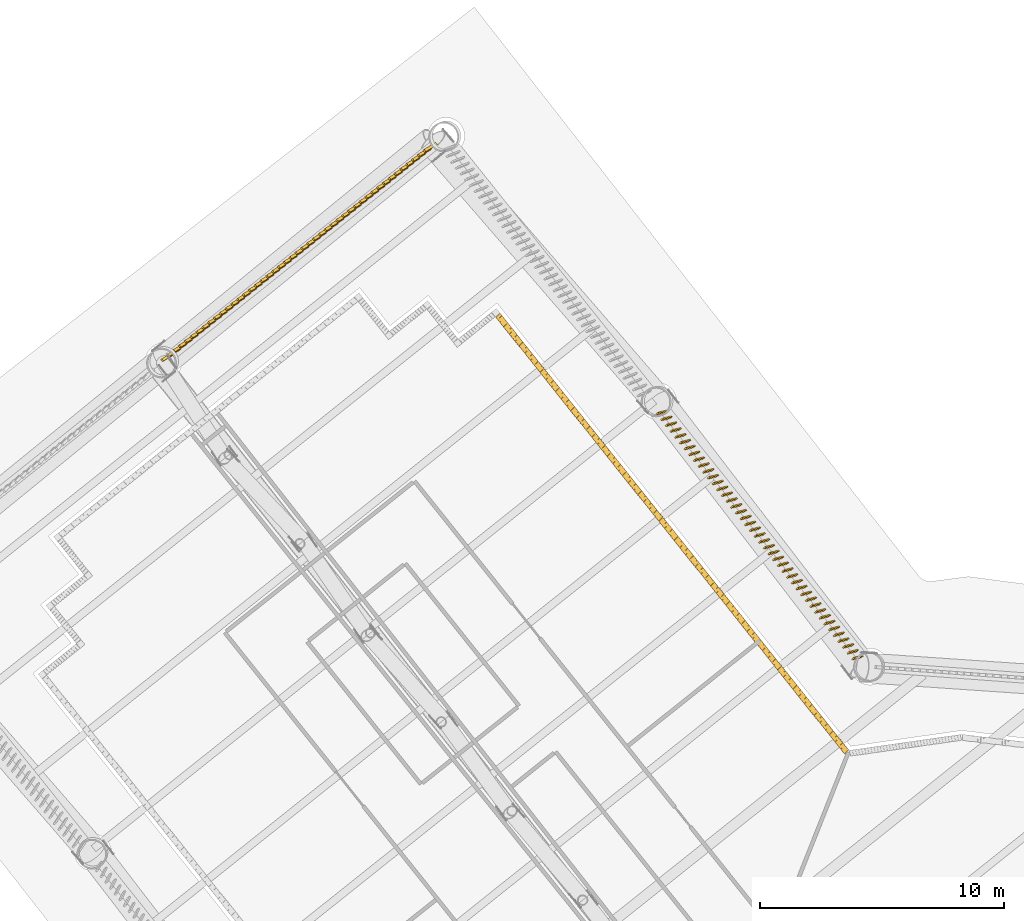
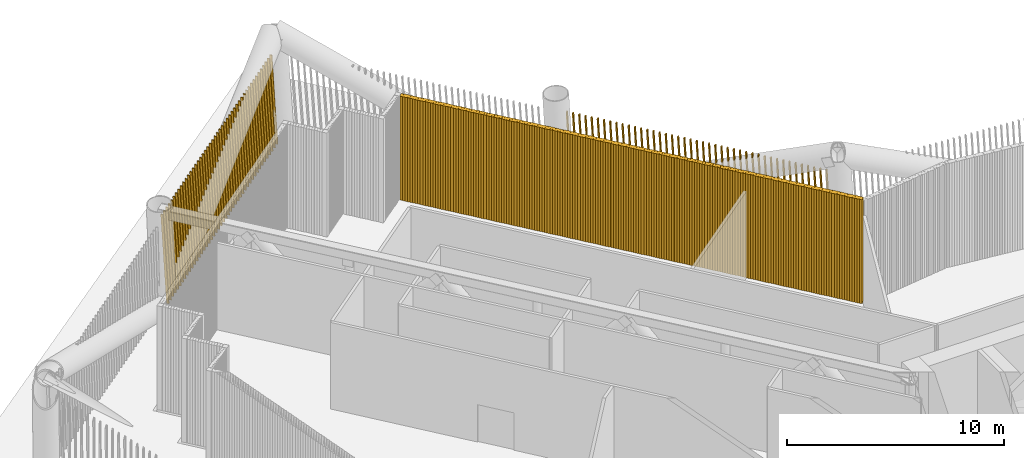
# One storey, part 47 of 48: 3 shading devices.
"""IFC4 building model written with IfcOpenShell, lengths in metres."""

from ifc_helpers import new_model, si_unit, direction, frame, frame_2d, origin, place, context, subcontext, project, spatial, rectangle, composite_profile, extrude, material, type_object, element, save


model = new_model("IFC4")

# Units and contexts
model_context = context("Model", 3, precision=1e-05, world=origin(), true_north=direction((0.0, 1.0)))
body_context = subcontext(model_context, "Body", "Model", "MODEL_VIEW")
ifc_project = project(units=[si_unit("LENGTHUNIT", "METRE"), si_unit("AREAUNIT", "SQUARE_METRE"), si_unit("VOLUMEUNIT", "CUBIC_METRE"), si_unit("PLANEANGLEUNIT", "RADIAN"), si_unit("MASSUNIT", "GRAM", prefix="KILO")], contexts=[model_context])

# Site, building, storey
site_placement = place(None, origin())
site = spatial("IfcSite", under=ifc_project, at=site_placement, CompositionType="ELEMENT")
building_placement = place(site_placement, origin())
building = spatial("IfcBuilding", under=site, at=building_placement, Name="Tarsis Ring Headquarters", CompositionType="ELEMENT")
storey_placement = place(building_placement, frame((0.0, 0.0, 34.0)))
storey = spatial("IfcBuildingStorey", under=building, at=storey_placement, Name="L06", CompositionType="ELEMENT", Elevation=34.0)

# Shading devices
ifc_material_1 = material(Name="Aluminium louvre", Category="aluminium")
shading_device_type_1 = type_object("IfcShadingDeviceType", Name="Plant louvre fin", PredefinedType="USERDEFINED", material=ifc_material_1)
shading_device_1_placement = place(storey_placement, frame((-4.974365234375, 25.265380859375, 0.0), z_axis=(0.0, 0.0, 1.0), x_axis=(-0.623881965396, 0.781520846881, 0.0)))
element("IfcShadingDevice", 1, at=shading_device_1_placement, inside=storey, type_object=shading_device_type_1, Name="Louvre L06-31", ObjectType="Louvre", PredefinedType="USERDEFINED", context=body_context, shape_type="SweptSolid", body=[
    extrude(composite_profile([rectangle(XDim=0.1201171875, YDim=0.239990234375, at=frame_2d((0.076171875, 0.0), x_axis=(0.990268068742, 0.13917310096))), rectangle(XDim=0.1201171875, YDim=0.239990234375, at=frame_2d((0.201904296875, 0.0), x_axis=(0.990268068742, 0.13917310096))), rectangle(XDim=0.1201171875, YDim=0.239990234375, at=frame_2d((0.32763671875, 0.0), x_axis=(0.990268068742, 0.13917310096))), rectangle(XDim=0.1201171875, YDim=0.239990234375, at=frame_2d((0.453125, 0.0), x_axis=(0.990268068742, 0.13917310096))), rectangle(XDim=0.1201171875, YDim=0.239990234375, at=frame_2d((0.578857421875, 0.0), x_axis=(0.990268068742, 0.13917310096))), rectangle(XDim=0.1201171875, YDim=0.239990234375, at=frame_2d((0.70458984375, 0.0), x_axis=(0.990268068742, 0.13917310096))), rectangle(XDim=0.1201171875, YDim=0.239990234375, at=frame_2d((0.830322265625, 0.0), x_axis=(0.990268068742, 0.13917310096))), rectangle(XDim=0.1201171875, YDim=0.239990234375, at=frame_2d((0.9560546875, 0.0), x_axis=(0.990268068742, 0.13917310096))), rectangle(XDim=0.1201171875, YDim=0.239990234375, at=frame_2d((1.08154296875, 0.0), x_axis=(0.990268068742, 0.13917310096))), rectangle(XDim=0.1201171875, YDim=0.239990234375, at=frame_2d((1.207275390625, 0.0), x_axis=(0.990268068742, 0.13917310096))), rectangle(XDim=0.1201171875, YDim=0.239990234375, at=frame_2d((1.3330078125, 0.0), x_axis=(0.990268068742, 0.13917310096))), rectangle(XDim=0.1201171875, YDim=0.239990234375, at=frame_2d((1.458740234375, 0.0), x_axis=(0.990268068742, 0.13917310096))), rectangle(XDim=0.1201171875, YDim=0.239990234375, at=frame_2d((1.58447265625, 0.0), x_axis=(0.990268068742, 0.13917310096))), rectangle(XDim=0.1201171875, YDim=0.239990234375, at=frame_2d((1.7099609375, 0.0), x_axis=(0.990268068742, 0.13917310096))), rectangle(XDim=0.1201171875, YDim=0.239990234375, at=frame_2d((1.835693359375, 0.0), x_axis=(0.990268068742, 0.13917310096))), rectangle(XDim=0.1201171875, YDim=0.239990234375, at=frame_2d((1.96142578125, 0.0), x_axis=(0.990268068742, 0.13917310096))), rectangle(XDim=0.1201171875, YDim=0.239990234375, at=frame_2d((2.087158203125, 0.0), x_axis=(0.990268068742, 0.13917310096))), rectangle(XDim=0.1201171875, YDim=0.239990234375, at=frame_2d((2.212890625, 0.0), x_axis=(0.990268068742, 0.13917310096))), rectangle(XDim=0.1201171875, YDim=0.239990234375, at=frame_2d((2.338623046875, 0.0), x_axis=(0.990268068742, 0.13917310096))), rectangle(XDim=0.1201171875, YDim=0.239990234375, at=frame_2d((2.464111328125, 0.0), x_axis=(0.990268068742, 0.13917310096))), rectangle(XDim=0.1201171875, YDim=0.239990234375, at=frame_2d((2.58984375, 0.0), x_axis=(0.990268068742, 0.13917310096))), rectangle(XDim=0.1201171875, YDim=0.239990234375, at=frame_2d((2.715576171875, 0.0), x_axis=(0.990268068742, 0.13917310096))), rectangle(XDim=0.1201171875, YDim=0.239990234375, at=frame_2d((2.84130859375, 0.0), x_axis=(0.990268068742, 0.13917310096))), rectangle(XDim=0.1201171875, YDim=0.239990234375, at=frame_2d((2.967041015625, 0.0), x_axis=(0.990268068742, 0.13917310096))), rectangle(XDim=0.1201171875, YDim=0.239990234375, at=frame_2d((3.092529296875, 0.0), x_axis=(0.990268068742, 0.13917310096))), rectangle(XDim=0.1201171875, YDim=0.239990234375, at=frame_2d((3.21826171875, 0.0), x_axis=(0.990268068742, 0.13917310096))), rectangle(XDim=0.1201171875, YDim=0.239990234375, at=frame_2d((3.343994140625, 0.0), x_axis=(0.990268068742, 0.13917310096))), rectangle(XDim=0.1201171875, YDim=0.239990234375, at=frame_2d((3.4697265625, 0.0), x_axis=(0.990268068742, 0.13917310096))), rectangle(XDim=0.1201171875, YDim=0.239990234375, at=frame_2d((3.595458984375, 0.0), x_axis=(0.990268068742, 0.13917310096))), rectangle(XDim=0.1201171875, YDim=0.239990234375, at=frame_2d((3.720947265625, 0.0), x_axis=(0.990268068742, 0.13917310096))), rectangle(XDim=0.1201171875, YDim=0.239990234375, at=frame_2d((3.8466796875, 0.0), x_axis=(0.990268068742, 0.13917310096))), rectangle(XDim=0.1201171875, YDim=0.239990234375, at=frame_2d((3.972412109375, 0.0), x_axis=(0.990268068742, 0.13917310096))), rectangle(XDim=0.1201171875, YDim=0.239990234375, at=frame_2d((4.09814453125, 0.0), x_axis=(0.990268068742, 0.13917310096))), rectangle(XDim=0.1201171875, YDim=0.239990234375, at=frame_2d((4.223876953125, 0.0), x_axis=(0.990268068742, 0.13917310096))), rectangle(XDim=0.1201171875, YDim=0.239990234375, at=frame_2d((4.349365234375, 0.0), x_axis=(0.990268068742, 0.13917310096))), rectangle(XDim=0.1201171875, YDim=0.239990234375, at=frame_2d((4.47509765625, 0.0), x_axis=(0.990268068742, 0.13917310096))), rectangle(XDim=0.1201171875, YDim=0.239990234375, at=frame_2d((4.600830078125, 0.0), x_axis=(0.990268068742, 0.13917310096))), rectangle(XDim=0.1201171875, YDim=0.239990234375, at=frame_2d((4.7265625, 0.0), x_axis=(0.990268068742, 0.13917310096))), rectangle(XDim=0.1201171875, YDim=0.239990234375, at=frame_2d((4.852294921875, 0.0), x_axis=(0.990268068742, 0.13917310096))), rectangle(XDim=0.1201171875, YDim=0.239990234375, at=frame_2d((4.977783203125, 0.0), x_axis=(0.990268068742, 0.13917310096))), rectangle(XDim=0.1201171875, YDim=0.239990234375, at=frame_2d((5.103515625, 0.0), x_axis=(0.990268068742, 0.13917310096))), rectangle(XDim=0.1201171875, YDim=0.239990234375, at=frame_2d((5.229248046875, 0.0), x_axis=(0.990268068742, 0.13917310096))), rectangle(XDim=0.1201171875, YDim=0.239990234375, at=frame_2d((5.35498046875, 0.0), x_axis=(0.990268068742, 0.13917310096))), rectangle(XDim=0.1201171875, YDim=0.239990234375, at=frame_2d((5.480712890625, 0.0), x_axis=(0.990268068742, 0.13917310096))), rectangle(XDim=0.1201171875, YDim=0.239990234375, at=frame_2d((5.606201171875, 0.0), x_axis=(0.990268068742, 0.13917310096))), rectangle(XDim=0.1201171875, YDim=0.239990234375, at=frame_2d((5.73193359375, 0.0), x_axis=(0.990268068742, 0.13917310096))), rectangle(XDim=0.1201171875, YDim=0.239990234375, at=frame_2d((5.857666015625, 0.0), x_axis=(0.990268068742, 0.13917310096))), rectangle(XDim=0.1201171875, YDim=0.239990234375, at=frame_2d((5.9833984375, 0.0), x_axis=(0.990268068742, 0.13917310096))), rectangle(XDim=0.1201171875, YDim=0.239990234375, at=frame_2d((6.109130859375, 0.0), x_axis=(0.990268068742, 0.13917310096))), rectangle(XDim=0.1201171875, YDim=0.239990234375, at=frame_2d((6.23486328125, 0.0), x_axis=(0.990268068742, 0.13917310096))), rectangle(XDim=0.1201171875, YDim=0.239990234375, at=frame_2d((6.3603515625, 0.0), x_axis=(0.990268068742, 0.13917310096))), rectangle(XDim=0.1201171875, YDim=0.239990234375, at=frame_2d((6.486083984375, 0.0), x_axis=(0.990268068742, 0.13917310096))), rectangle(XDim=0.1201171875, YDim=0.239990234375, at=frame_2d((6.61181640625, 0.0), x_axis=(0.990268068742, 0.13917310096))), rectangle(XDim=0.1201171875, YDim=0.239990234375, at=frame_2d((6.737548828125, 0.0), x_axis=(0.990268068742, 0.13917310096))), rectangle(XDim=0.1201171875, YDim=0.239990234375, at=frame_2d((6.86328125, 0.0), x_axis=(0.990268068742, 0.13917310096))), rectangle(XDim=0.1201171875, YDim=0.239990234375, at=frame_2d((6.98876953125, 0.0), x_axis=(0.990268068742, 0.13917310096))), rectangle(XDim=0.1201171875, YDim=0.239990234375, at=frame_2d((7.114501953125, 0.0), x_axis=(0.990268068742, 0.13917310096))), rectangle(XDim=0.1201171875, YDim=0.239990234375, at=frame_2d((7.240234375, 0.0), x_axis=(0.990268068742, 0.13917310096))), rectangle(XDim=0.1201171875, YDim=0.239990234375, at=frame_2d((7.365966796875, 0.0), x_axis=(0.990268068742, 0.13917310096))), rectangle(XDim=0.1201171875, YDim=0.239990234375, at=frame_2d((7.49169921875, 0.0), x_axis=(0.990268068742, 0.13917310096))), rectangle(XDim=0.1201171875, YDim=0.239990234375, at=frame_2d((7.6171875, 0.0), x_axis=(0.990268068742, 0.13917310096))), rectangle(XDim=0.1201171875, YDim=0.239990234375, at=frame_2d((7.742919921875, 0.0), x_axis=(0.990268068742, 0.13917310096))), rectangle(XDim=0.1201171875, YDim=0.239990234375, at=frame_2d((7.86865234375, 0.0), x_axis=(0.990268068742, 0.13917310096))), rectangle(XDim=0.1201171875, YDim=0.239990234375, at=frame_2d((7.994384765625, 0.0), x_axis=(0.990268068742, 0.13917310096))), rectangle(XDim=0.1201171875, YDim=0.239990234375, at=frame_2d((8.1201171875, 0.0), x_axis=(0.990268068742, 0.13917310096))), rectangle(XDim=0.1201171875, YDim=0.239990234375, at=frame_2d((8.24560546875, 0.0), x_axis=(0.990268068742, 0.13917310096))), rectangle(XDim=0.1201171875, YDim=0.239990234375, at=frame_2d((8.371337890625, 0.0), x_axis=(0.990268068742, 0.13917310096))), rectangle(XDim=0.1201171875, YDim=0.239990234375, at=frame_2d((8.4970703125, 0.0), x_axis=(0.990268068742, 0.13917310096))), rectangle(XDim=0.1201171875, YDim=0.239990234375, at=frame_2d((8.622802734375, 0.0), x_axis=(0.990268068742, 0.13917310096))), rectangle(XDim=0.1201171875, YDim=0.239990234375, at=frame_2d((8.74853515625, 0.0), x_axis=(0.990268068742, 0.13917310096))), rectangle(XDim=0.1201171875, YDim=0.239990234375, at=frame_2d((8.8740234375, 0.0), x_axis=(0.990268068742, 0.13917310096))), rectangle(XDim=0.1201171875, YDim=0.239990234375, at=frame_2d((8.999755859375, 0.0), x_axis=(0.990268068742, 0.13917310096))), rectangle(XDim=0.1201171875, YDim=0.239990234375, at=frame_2d((9.12548828125, 0.0), x_axis=(0.990268068742, 0.13917310096))), rectangle(XDim=0.1201171875, YDim=0.239990234375, at=frame_2d((9.251220703125, 0.0), x_axis=(0.990268068742, 0.13917310096))), rectangle(XDim=0.1201171875, YDim=0.239990234375, at=frame_2d((9.376953125, 0.0), x_axis=(0.990268068742, 0.13917310096))), rectangle(XDim=0.1201171875, YDim=0.239990234375, at=frame_2d((9.50244140625, 0.0), x_axis=(0.990268068742, 0.13917310096))), rectangle(XDim=0.1201171875, YDim=0.239990234375, at=frame_2d((9.628173828125, 0.0), x_axis=(0.990268068742, 0.13917310096))), rectangle(XDim=0.1201171875, YDim=0.239990234375, at=frame_2d((9.75390625, 0.0), x_axis=(0.990268068742, 0.13917310096))), rectangle(XDim=0.1201171875, YDim=0.239990234375, at=frame_2d((9.879638671875, 0.0), x_axis=(0.990268068742, 0.13917310096))), rectangle(XDim=0.1201171875, YDim=0.239990234375, at=frame_2d((10.00537109375, 0.0), x_axis=(0.990268068742, 0.13917310096))), rectangle(XDim=0.1201171875, YDim=0.239990234375, at=frame_2d((10.131103515625, 0.0), x_axis=(0.990268068742, 0.13917310096))), rectangle(XDim=0.1201171875, YDim=0.239990234375, at=frame_2d((10.256591796875, 0.0), x_axis=(0.990268068742, 0.13917310096))), rectangle(XDim=0.1201171875, YDim=0.239990234375, at=frame_2d((10.38232421875, 0.0), x_axis=(0.990268068742, 0.13917310096))), rectangle(XDim=0.1201171875, YDim=0.239990234375, at=frame_2d((10.508056640625, 0.0), x_axis=(0.990268068742, 0.13917310096))), rectangle(XDim=0.1201171875, YDim=0.239990234375, at=frame_2d((10.6337890625, 0.0), x_axis=(0.990268068742, 0.13917310096))), rectangle(XDim=0.1201171875, YDim=0.239990234375, at=frame_2d((10.759521484375, 0.0), x_axis=(0.990268068742, 0.13917310096))), rectangle(XDim=0.1201171875, YDim=0.239990234375, at=frame_2d((10.885009765625, 0.0), x_axis=(0.990268068742, 0.13917310096))), rectangle(XDim=0.1201171875, YDim=0.239990234375, at=frame_2d((11.0107421875, 0.0), x_axis=(0.990268068742, 0.13917310096))), rectangle(XDim=0.1201171875, YDim=0.239990234375, at=frame_2d((11.136474609375, 0.0), x_axis=(0.990268068742, 0.13917310096))), rectangle(XDim=0.1201171875, YDim=0.239990234375, at=frame_2d((11.26220703125, 0.0), x_axis=(0.990268068742, 0.13917310096))), rectangle(XDim=0.1201171875, YDim=0.239990234375, at=frame_2d((11.387939453125, 0.0), x_axis=(0.990268068742, 0.13917310096))), rectangle(XDim=0.1201171875, YDim=0.239990234375, at=frame_2d((11.513427734375, 0.0), x_axis=(0.990268068742, 0.13917310096))), rectangle(XDim=0.1201171875, YDim=0.239990234375, at=frame_2d((11.63916015625, 0.0), x_axis=(0.990268068742, 0.13917310096))), rectangle(XDim=0.1201171875, YDim=0.239990234375, at=frame_2d((11.764892578125, 0.0), x_axis=(0.990268068742, 0.13917310096))), rectangle(XDim=0.1201171875, YDim=0.239990234375, at=frame_2d((11.890625, 0.0), x_axis=(0.990268068742, 0.13917310096))), rectangle(XDim=0.1201171875, YDim=0.239990234375, at=frame_2d((12.016357421875, 0.0), x_axis=(0.990268068742, 0.13917310096))), rectangle(XDim=0.1201171875, YDim=0.239990234375, at=frame_2d((12.141845703125, 0.0), x_axis=(0.990268068742, 0.13917310096))), rectangle(XDim=0.1201171875, YDim=0.239990234375, at=frame_2d((12.267578125, 0.0), x_axis=(0.990268068742, 0.13917310096))), rectangle(XDim=0.1201171875, YDim=0.239990234375, at=frame_2d((12.393310546875, 0.0), x_axis=(0.990268068742, 0.13917310096))), rectangle(XDim=0.1201171875, YDim=0.239990234375, at=frame_2d((12.51904296875, 0.0), x_axis=(0.990268068742, 0.13917310096))), rectangle(XDim=0.1201171875, YDim=0.239990234375, at=frame_2d((12.644775390625, 0.0), x_axis=(0.990268068742, 0.13917310096))), rectangle(XDim=0.1201171875, YDim=0.239990234375, at=frame_2d((12.770263671875, 0.0), x_axis=(0.990268068742, 0.13917310096))), rectangle(XDim=0.1201171875, YDim=0.239990234375, at=frame_2d((12.89599609375, 0.0), x_axis=(0.990268068742, 0.13917310096))), rectangle(XDim=0.1201171875, YDim=0.239990234375, at=frame_2d((13.021728515625, 0.0), x_axis=(0.990268068742, 0.13917310096))), rectangle(XDim=0.1201171875, YDim=0.239990234375, at=frame_2d((13.1474609375, 0.0), x_axis=(0.990268068742, 0.13917310096))), rectangle(XDim=0.1201171875, YDim=0.239990234375, at=frame_2d((13.273193359375, 0.0), x_axis=(0.990268068742, 0.13917310096))), rectangle(XDim=0.1201171875, YDim=0.239990234375, at=frame_2d((13.39892578125, 0.0), x_axis=(0.990268068742, 0.13917310096))), rectangle(XDim=0.1201171875, YDim=0.239990234375, at=frame_2d((13.5244140625, 0.0), x_axis=(0.990268068742, 0.13917310096))), rectangle(XDim=0.1201171875, YDim=0.239990234375, at=frame_2d((13.650146484375, 0.0), x_axis=(0.990268068742, 0.13917310096))), rectangle(XDim=0.1201171875, YDim=0.239990234375, at=frame_2d((13.77587890625, 0.0), x_axis=(0.990268068742, 0.13917310096))), rectangle(XDim=0.1201171875, YDim=0.239990234375, at=frame_2d((13.901611328125, 0.0), x_axis=(0.990268068742, 0.13917310096))), rectangle(XDim=0.1201171875, YDim=0.239990234375, at=frame_2d((14.02734375, 0.0), x_axis=(0.990268068742, 0.13917310096))), rectangle(XDim=0.1201171875, YDim=0.239990234375, at=frame_2d((14.15283203125, 0.0), x_axis=(0.990268068742, 0.13917310096))), rectangle(XDim=0.1201171875, YDim=0.239990234375, at=frame_2d((14.278564453125, 0.0), x_axis=(0.990268068742, 0.13917310096))), rectangle(XDim=0.1201171875, YDim=0.239990234375, at=frame_2d((14.404296875, 0.0), x_axis=(0.990268068742, 0.13917310096))), rectangle(XDim=0.1201171875, YDim=0.239990234375, at=frame_2d((14.530029296875, 0.0), x_axis=(0.990268068742, 0.13917310096))), rectangle(XDim=0.1201171875, YDim=0.239990234375, at=frame_2d((14.65576171875, 0.0), x_axis=(0.990268068742, 0.13917310096))), rectangle(XDim=0.1201171875, YDim=0.239990234375, at=frame_2d((14.78125, 0.0), x_axis=(0.990268068742, 0.13917310096))), rectangle(XDim=0.1201171875, YDim=0.239990234375, at=frame_2d((14.906982421875, 0.0), x_axis=(0.990268068742, 0.13917310096))), rectangle(XDim=0.1201171875, YDim=0.239990234375, at=frame_2d((15.03271484375, 0.0), x_axis=(0.990268068742, 0.13917310096))), rectangle(XDim=0.1201171875, YDim=0.239990234375, at=frame_2d((15.158447265625, 0.0), x_axis=(0.990268068742, 0.13917310096))), rectangle(XDim=0.1201171875, YDim=0.239990234375, at=frame_2d((15.2841796875, 0.0), x_axis=(0.990268068742, 0.13917310096))), rectangle(XDim=0.1201171875, YDim=0.239990234375, at=frame_2d((15.40966796875, 0.0), x_axis=(0.990268068742, 0.13917310096))), rectangle(XDim=0.1201171875, YDim=0.239990234375, at=frame_2d((15.535400390625, 0.0), x_axis=(0.990268068742, 0.13917310096))), rectangle(XDim=0.1201171875, YDim=0.239990234375, at=frame_2d((15.6611328125, 0.0), x_axis=(0.990268068742, 0.13917310096))), rectangle(XDim=0.1201171875, YDim=0.239990234375, at=frame_2d((15.786865234375, 0.0), x_axis=(0.990268068742, 0.13917310096))), rectangle(XDim=0.1201171875, YDim=0.239990234375, at=frame_2d((15.91259765625, 0.0), x_axis=(0.990268068742, 0.13917310096))), rectangle(XDim=0.1201171875, YDim=0.239990234375, at=frame_2d((16.0380859375, 0.0), x_axis=(0.990268068742, 0.13917310096))), rectangle(XDim=0.1201171875, YDim=0.239990234375, at=frame_2d((16.163818359375, 0.0), x_axis=(0.990268068742, 0.13917310096))), rectangle(XDim=0.1201171875, YDim=0.239990234375, at=frame_2d((16.28955078125, 0.0), x_axis=(0.990268068742, 0.13917310096))), rectangle(XDim=0.1201171875, YDim=0.239990234375, at=frame_2d((16.415283203125, 0.0), x_axis=(0.990268068742, 0.13917310096))), rectangle(XDim=0.1201171875, YDim=0.239990234375, at=frame_2d((16.541015625, 0.0), x_axis=(0.990268068742, 0.13917310096))), rectangle(XDim=0.1201171875, YDim=0.239990234375, at=frame_2d((16.66650390625, 0.0), x_axis=(0.990268068742, 0.13917310096))), rectangle(XDim=0.1201171875, YDim=0.239990234375, at=frame_2d((16.792236328125, 0.0), x_axis=(0.990268068742, 0.13917310096))), rectangle(XDim=0.1201171875, YDim=0.239990234375, at=frame_2d((16.91796875, 0.0), x_axis=(0.990268068742, 0.13917310096))), rectangle(XDim=0.1201171875, YDim=0.239990234375, at=frame_2d((17.043701171875, 0.0), x_axis=(0.990268068742, 0.13917310096))), rectangle(XDim=0.1201171875, YDim=0.239990234375, at=frame_2d((17.16943359375, 0.0), x_axis=(0.990268068742, 0.13917310096))), rectangle(XDim=0.1201171875, YDim=0.239990234375, at=frame_2d((17.295166015625, 0.0), x_axis=(0.990268068742, 0.13917310096))), rectangle(XDim=0.1201171875, YDim=0.239990234375, at=frame_2d((17.420654296875, 0.0), x_axis=(0.990268068742, 0.13917310096))), rectangle(XDim=0.1201171875, YDim=0.239990234375, at=frame_2d((17.54638671875, 0.0), x_axis=(0.990268068742, 0.13917310096))), rectangle(XDim=0.1201171875, YDim=0.239990234375, at=frame_2d((17.672119140625, 0.0), x_axis=(0.990268068742, 0.13917310096))), rectangle(XDim=0.1201171875, YDim=0.239990234375, at=frame_2d((17.7978515625, 0.0), x_axis=(0.990268068742, 0.13917310096))), rectangle(XDim=0.1201171875, YDim=0.239990234375, at=frame_2d((17.923583984375, 0.0), x_axis=(0.990268068742, 0.13917310096))), rectangle(XDim=0.1201171875, YDim=0.239990234375, at=frame_2d((18.049072265625, 0.0), x_axis=(0.990268068742, 0.13917310096))), rectangle(XDim=0.1201171875, YDim=0.239990234375, at=frame_2d((18.1748046875, 0.0), x_axis=(0.990268068742, 0.13917310096))), rectangle(XDim=0.1201171875, YDim=0.239990234375, at=frame_2d((18.300537109375, 0.0), x_axis=(0.990268068742, 0.13917310096))), rectangle(XDim=0.1201171875, YDim=0.239990234375, at=frame_2d((18.42626953125, 0.0), x_axis=(0.990268068742, 0.13917310096))), rectangle(XDim=0.1201171875, YDim=0.239990234375, at=frame_2d((18.552001953125, 0.0), x_axis=(0.990268068742, 0.13917310096))), rectangle(XDim=0.1201171875, YDim=0.239990234375, at=frame_2d((18.677490234375, 0.0), x_axis=(0.990268068742, 0.13917310096))), rectangle(XDim=0.1201171875, YDim=0.239990234375, at=frame_2d((18.80322265625, 0.0), x_axis=(0.990268068742, 0.13917310096))), rectangle(XDim=0.1201171875, YDim=0.239990234375, at=frame_2d((18.928955078125, 0.0), x_axis=(0.990268068742, 0.13917310096))), rectangle(XDim=0.1201171875, YDim=0.239990234375, at=frame_2d((19.0546875, 0.0), x_axis=(0.990268068742, 0.13917310096))), rectangle(XDim=0.1201171875, YDim=0.239990234375, at=frame_2d((19.180419921875, 0.0), x_axis=(0.990268068742, 0.13917310096))), rectangle(XDim=0.1201171875, YDim=0.239990234375, at=frame_2d((19.305908203125, 0.0), x_axis=(0.990268068742, 0.13917310096))), rectangle(XDim=0.1201171875, YDim=0.239990234375, at=frame_2d((19.431640625, 0.0), x_axis=(0.990268068742, 0.13917310096))), rectangle(XDim=0.1201171875, YDim=0.239990234375, at=frame_2d((19.557373046875, 0.0), x_axis=(0.990268068742, 0.13917310096))), rectangle(XDim=0.1201171875, YDim=0.239990234375, at=frame_2d((19.68310546875, 0.0), x_axis=(0.990268068742, 0.13917310096))), rectangle(XDim=0.1201171875, YDim=0.239990234375, at=frame_2d((19.808837890625, 0.0), x_axis=(0.990268068742, 0.13917310096))), rectangle(XDim=0.1201171875, YDim=0.239990234375, at=frame_2d((19.934326171875, 0.0), x_axis=(0.990268068742, 0.13917310096))), rectangle(XDim=0.1201171875, YDim=0.239990234375, at=frame_2d((20.06005859375, 0.0), x_axis=(0.990268068742, 0.13917310096))), rectangle(XDim=0.1201171875, YDim=0.239990234375, at=frame_2d((20.185791015625, 0.0), x_axis=(0.990268068742, 0.13917310096))), rectangle(XDim=0.1201171875, YDim=0.239990234375, at=frame_2d((20.3115234375, 0.0), x_axis=(0.990268068742, 0.13917310096))), rectangle(XDim=0.1201171875, YDim=0.239990234375, at=frame_2d((20.437255859375, 0.0), x_axis=(0.990268068742, 0.13917310096))), rectangle(XDim=0.1201171875, YDim=0.239990234375, at=frame_2d((20.562744140625, 0.0), x_axis=(0.990268068742, 0.13917310096))), rectangle(XDim=0.1201171875, YDim=0.239990234375, at=frame_2d((20.6884765625, 0.0), x_axis=(0.990268068742, 0.13917310096))), rectangle(XDim=0.1201171875, YDim=0.239990234375, at=frame_2d((20.814208984375, 0.0), x_axis=(0.990268068742, 0.13917310096))), rectangle(XDim=0.1201171875, YDim=0.239990234375, at=frame_2d((20.93994140625, 0.0), x_axis=(0.990268068742, 0.13917310096))), rectangle(XDim=0.1201171875, YDim=0.239990234375, at=frame_2d((21.065673828125, 0.0), x_axis=(0.990268068742, 0.13917310096))), rectangle(XDim=0.1201171875, YDim=0.239990234375, at=frame_2d((21.19140625, 0.0), x_axis=(0.990268068742, 0.13917310096))), rectangle(XDim=0.1201171875, YDim=0.239990234375, at=frame_2d((21.31689453125, 0.0), x_axis=(0.990268068742, 0.13917310096))), rectangle(XDim=0.1201171875, YDim=0.239990234375, at=frame_2d((21.442626953125, 0.0), x_axis=(0.990268068742, 0.13917310096))), rectangle(XDim=0.1201171875, YDim=0.239990234375, at=frame_2d((21.568359375, 0.0), x_axis=(0.990268068742, 0.13917310096))), rectangle(XDim=0.1201171875, YDim=0.239990234375, at=frame_2d((21.694091796875, 0.0), x_axis=(0.990268068742, 0.13917310096))), rectangle(XDim=0.1201171875, YDim=0.239990234375, at=frame_2d((21.81982421875, 0.0), x_axis=(0.990268068742, 0.13917310096))), rectangle(XDim=0.1201171875, YDim=0.239990234375, at=frame_2d((21.9453125, 0.0), x_axis=(0.990268068742, 0.13917310096))), rectangle(XDim=0.1201171875, YDim=0.239990234375, at=frame_2d((22.071044921875, 0.0), x_axis=(0.990268068742, 0.13917310096))), rectangle(XDim=0.1201171875, YDim=0.239990234375, at=frame_2d((22.19677734375, 0.0), x_axis=(0.990268068742, 0.13917310096))), rectangle(XDim=0.1201171875, YDim=0.239990234375, at=frame_2d((22.322509765625, 0.0), x_axis=(0.990268068742, 0.13917310096))), rectangle(XDim=0.1201171875, YDim=0.239990234375, at=frame_2d((22.4482421875, 0.0), x_axis=(0.990268068742, 0.13917310096))), rectangle(XDim=0.1201171875, YDim=0.239990234375, at=frame_2d((22.57373046875, 0.0), x_axis=(0.990268068742, 0.13917310096))), rectangle(XDim=0.1201171875, YDim=0.239990234375, at=frame_2d((22.699462890625, 0.0), x_axis=(0.990268068742, 0.13917310096))), rectangle(XDim=0.1201171875, YDim=0.239990234375, at=frame_2d((22.8251953125, 0.0), x_axis=(0.990268068742, 0.13917310096)))]), origin(), (0.0, 0.0, 1.0), 5.840087890625),
])
ifc_material_2 = material(Name="Terracotta baguette", Category="masonry")
shading_device_type_2 = type_object("IfcShadingDeviceType", Name="Terracotta baguette screen", PredefinedType="USERDEFINED", material=ifc_material_2)
shading_device_2_placement = place(storey_placement, frame((-4.339599609375, 29.15869140625, -0.300048828125), z_axis=(0.0, 0.0, 1.0), x_axis=(-0.623883590675, 0.781505449591, 0.0)))
element("IfcShadingDevice", 2, at=shading_device_2_placement, inside=storey, type_object=shading_device_type_2, Name="Baguette screen L06-15", ObjectType="Terracotta baguette screen", PredefinedType="USERDEFINED", context=body_context, shape_type="SweptSolid", body=[
    extrude(composite_profile([rectangle(XDim=0.06005859375, YDim=0.1201171875, at=frame_2d((0.030029296875, 0.0))), rectangle(XDim=0.06005859375, YDim=0.1201171875, at=frame_2d((0.335693359375, 0.0))), rectangle(XDim=0.06005859375, YDim=0.1201171875, at=frame_2d((0.6416015625, 0.0))), rectangle(XDim=0.06005859375, YDim=0.1201171875, at=frame_2d((0.947265625, 0.0))), rectangle(XDim=0.06005859375, YDim=0.1201171875, at=frame_2d((1.253173828125, 0.0))), rectangle(XDim=0.06005859375, YDim=0.1201171875, at=frame_2d((1.558837890625, 0.0))), rectangle(XDim=0.06005859375, YDim=0.1201171875, at=frame_2d((1.864501953125, 0.0))), rectangle(XDim=0.06005859375, YDim=0.1201171875, at=frame_2d((2.17041015625, 0.0))), rectangle(XDim=0.06005859375, YDim=0.1201171875, at=frame_2d((2.47607421875, 0.0))), rectangle(XDim=0.06005859375, YDim=0.1201171875, at=frame_2d((2.781982421875, 0.0))), rectangle(XDim=0.06005859375, YDim=0.1201171875, at=frame_2d((3.087646484375, 0.0))), rectangle(XDim=0.06005859375, YDim=0.1201171875, at=frame_2d((3.393310546875, 0.0))), rectangle(XDim=0.06005859375, YDim=0.1201171875, at=frame_2d((3.69921875, 0.0))), rectangle(XDim=0.06005859375, YDim=0.1201171875, at=frame_2d((4.0048828125, 0.0))), rectangle(XDim=0.06005859375, YDim=0.1201171875, at=frame_2d((4.310791015625, 0.0))), rectangle(XDim=0.06005859375, YDim=0.1201171875, at=frame_2d((4.616455078125, 0.0))), rectangle(XDim=0.06005859375, YDim=0.1201171875, at=frame_2d((4.922119140625, 0.0))), rectangle(XDim=0.06005859375, YDim=0.1201171875, at=frame_2d((5.22802734375, 0.0))), rectangle(XDim=0.06005859375, YDim=0.1201171875, at=frame_2d((5.53369140625, 0.0))), rectangle(XDim=0.06005859375, YDim=0.1201171875, at=frame_2d((5.839599609375, 0.0))), rectangle(XDim=0.06005859375, YDim=0.1201171875, at=frame_2d((6.145263671875, 0.0))), rectangle(XDim=0.06005859375, YDim=0.1201171875, at=frame_2d((6.451171875, 0.0))), rectangle(XDim=0.06005859375, YDim=0.1201171875, at=frame_2d((6.7568359375, 0.0))), rectangle(XDim=0.06005859375, YDim=0.1201171875, at=frame_2d((7.0625, 0.0))), rectangle(XDim=0.06005859375, YDim=0.1201171875, at=frame_2d((7.368408203125, 0.0))), rectangle(XDim=0.06005859375, YDim=0.1201171875, at=frame_2d((7.674072265625, 0.0))), rectangle(XDim=0.06005859375, YDim=0.1201171875, at=frame_2d((7.97998046875, 0.0))), rectangle(XDim=0.06005859375, YDim=0.1201171875, at=frame_2d((8.28564453125, 0.0))), rectangle(XDim=0.06005859375, YDim=0.1201171875, at=frame_2d((8.59130859375, 0.0))), rectangle(XDim=0.06005859375, YDim=0.1201171875, at=frame_2d((8.897216796875, 0.0))), rectangle(XDim=0.06005859375, YDim=0.1201171875, at=frame_2d((9.202880859375, 0.0))), rectangle(XDim=0.06005859375, YDim=0.1201171875, at=frame_2d((9.5087890625, 0.0))), rectangle(XDim=0.06005859375, YDim=0.1201171875, at=frame_2d((9.814453125, 0.0))), rectangle(XDim=0.06005859375, YDim=0.1201171875, at=frame_2d((10.1201171875, 0.0))), rectangle(XDim=0.06005859375, YDim=0.1201171875, at=frame_2d((10.426025390625, 0.0))), rectangle(XDim=0.06005859375, YDim=0.1201171875, at=frame_2d((10.731689453125, 0.0))), rectangle(XDim=0.06005859375, YDim=0.1201171875, at=frame_2d((11.03759765625, 0.0))), rectangle(XDim=0.06005859375, YDim=0.1201171875, at=frame_2d((11.34326171875, 0.0))), rectangle(XDim=0.06005859375, YDim=0.1201171875, at=frame_2d((11.64892578125, 0.0))), rectangle(XDim=0.06005859375, YDim=0.1201171875, at=frame_2d((11.954833984375, 0.0))), rectangle(XDim=0.06005859375, YDim=0.1201171875, at=frame_2d((12.260498046875, 0.0))), rectangle(XDim=0.06005859375, YDim=0.1201171875, at=frame_2d((12.56640625, 0.0))), rectangle(XDim=0.06005859375, YDim=0.1201171875, at=frame_2d((12.8720703125, 0.0)))]), origin(), (0.028560590715, 0.06250354041, 0.997636005813), 5.365234375),
])
shading_device_3_placement = place(storey_placement, frame((-21.76513671875, 50.185791015625, -0.300048828125), z_axis=(0.0, 0.0, 1.0), x_axis=(-0.781512605042, -0.623883237506, 0.0)))
element("IfcShadingDevice", 3, at=shading_device_3_placement, inside=storey, type_object=shading_device_type_2, Name="Baguette screen L06-17", ObjectType="Terracotta baguette screen", PredefinedType="USERDEFINED", context=body_context, shape_type="SweptSolid", body=[
    extrude(composite_profile([rectangle(XDim=0.06005859375, YDim=0.1201171875, at=frame_2d((0.030029296875, 0.0))), rectangle(XDim=0.06005859375, YDim=0.1201171875, at=frame_2d((0.33544921875, 0.0))), rectangle(XDim=0.06005859375, YDim=0.1201171875, at=frame_2d((0.640625, 0.0))), rectangle(XDim=0.06005859375, YDim=0.1201171875, at=frame_2d((0.946044921875, 0.0))), rectangle(XDim=0.06005859375, YDim=0.1201171875, at=frame_2d((1.25146484375, 0.0))), rectangle(XDim=0.06005859375, YDim=0.1201171875, at=frame_2d((1.556640625, 0.0))), rectangle(XDim=0.06005859375, YDim=0.1201171875, at=frame_2d((1.862060546875, 0.0))), rectangle(XDim=0.06005859375, YDim=0.1201171875, at=frame_2d((2.16748046875, 0.0))), rectangle(XDim=0.06005859375, YDim=0.1201171875, at=frame_2d((2.47265625, 0.0))), rectangle(XDim=0.06005859375, YDim=0.1201171875, at=frame_2d((2.778076171875, 0.0))), rectangle(XDim=0.06005859375, YDim=0.1201171875, at=frame_2d((3.08349609375, 0.0))), rectangle(XDim=0.06005859375, YDim=0.1201171875, at=frame_2d((3.388671875, 0.0))), rectangle(XDim=0.06005859375, YDim=0.1201171875, at=frame_2d((3.694091796875, 0.0))), rectangle(XDim=0.06005859375, YDim=0.1201171875, at=frame_2d((3.99951171875, 0.0))), rectangle(XDim=0.06005859375, YDim=0.1201171875, at=frame_2d((4.3046875, 0.0))), rectangle(XDim=0.06005859375, YDim=0.1201171875, at=frame_2d((4.610107421875, 0.0))), rectangle(XDim=0.06005859375, YDim=0.1201171875, at=frame_2d((4.91552734375, 0.0))), rectangle(XDim=0.06005859375, YDim=0.1201171875, at=frame_2d((5.220703125, 0.0))), rectangle(XDim=0.06005859375, YDim=0.1201171875, at=frame_2d((5.526123046875, 0.0))), rectangle(XDim=0.06005859375, YDim=0.1201171875, at=frame_2d((5.83154296875, 0.0))), rectangle(XDim=0.06005859375, YDim=0.1201171875, at=frame_2d((6.13671875, 0.0))), rectangle(XDim=0.06005859375, YDim=0.1201171875, at=frame_2d((6.442138671875, 0.0))), rectangle(XDim=0.06005859375, YDim=0.1201171875, at=frame_2d((6.74755859375, 0.0))), rectangle(XDim=0.06005859375, YDim=0.1201171875, at=frame_2d((7.052734375, 0.0))), rectangle(XDim=0.06005859375, YDim=0.1201171875, at=frame_2d((7.358154296875, 0.0))), rectangle(XDim=0.06005859375, YDim=0.1201171875, at=frame_2d((7.66357421875, 0.0))), rectangle(XDim=0.06005859375, YDim=0.1201171875, at=frame_2d((7.96875, 0.0))), rectangle(XDim=0.06005859375, YDim=0.1201171875, at=frame_2d((8.274169921875, 0.0))), rectangle(XDim=0.06005859375, YDim=0.1201171875, at=frame_2d((8.57958984375, 0.0))), rectangle(XDim=0.06005859375, YDim=0.1201171875, at=frame_2d((8.884765625, 0.0))), rectangle(XDim=0.06005859375, YDim=0.1201171875, at=frame_2d((9.190185546875, 0.0))), rectangle(XDim=0.06005859375, YDim=0.1201171875, at=frame_2d((9.49560546875, 0.0))), rectangle(XDim=0.06005859375, YDim=0.1201171875, at=frame_2d((9.80078125, 0.0))), rectangle(XDim=0.06005859375, YDim=0.1201171875, at=frame_2d((10.106201171875, 0.0))), rectangle(XDim=0.06005859375, YDim=0.1201171875, at=frame_2d((10.41162109375, 0.0))), rectangle(XDim=0.06005859375, YDim=0.1201171875, at=frame_2d((10.716796875, 0.0))), rectangle(XDim=0.06005859375, YDim=0.1201171875, at=frame_2d((11.022216796875, 0.0))), rectangle(XDim=0.06005859375, YDim=0.1201171875, at=frame_2d((11.32763671875, 0.0))), rectangle(XDim=0.06005859375, YDim=0.1201171875, at=frame_2d((11.6328125, 0.0))), rectangle(XDim=0.06005859375, YDim=0.1201171875, at=frame_2d((11.938232421875, 0.0))), rectangle(XDim=0.06005859375, YDim=0.1201171875, at=frame_2d((12.24365234375, 0.0))), rectangle(XDim=0.06005859375, YDim=0.1201171875, at=frame_2d((12.548828125, 0.0))), rectangle(XDim=0.06005859375, YDim=0.1201171875, at=frame_2d((12.854248046875, 0.0))), rectangle(XDim=0.06005859375, YDim=0.1201171875, at=frame_2d((13.15966796875, 0.0))), rectangle(XDim=0.06005859375, YDim=0.1201171875, at=frame_2d((13.46484375, 0.0))), rectangle(XDim=0.06005859375, YDim=0.1201171875, at=frame_2d((13.770263671875, 0.0)))]), origin(), (0.102816022132, -0.013862058697, 0.994603794946), 5.381591796875),
])

save(model, "model.ifc")
